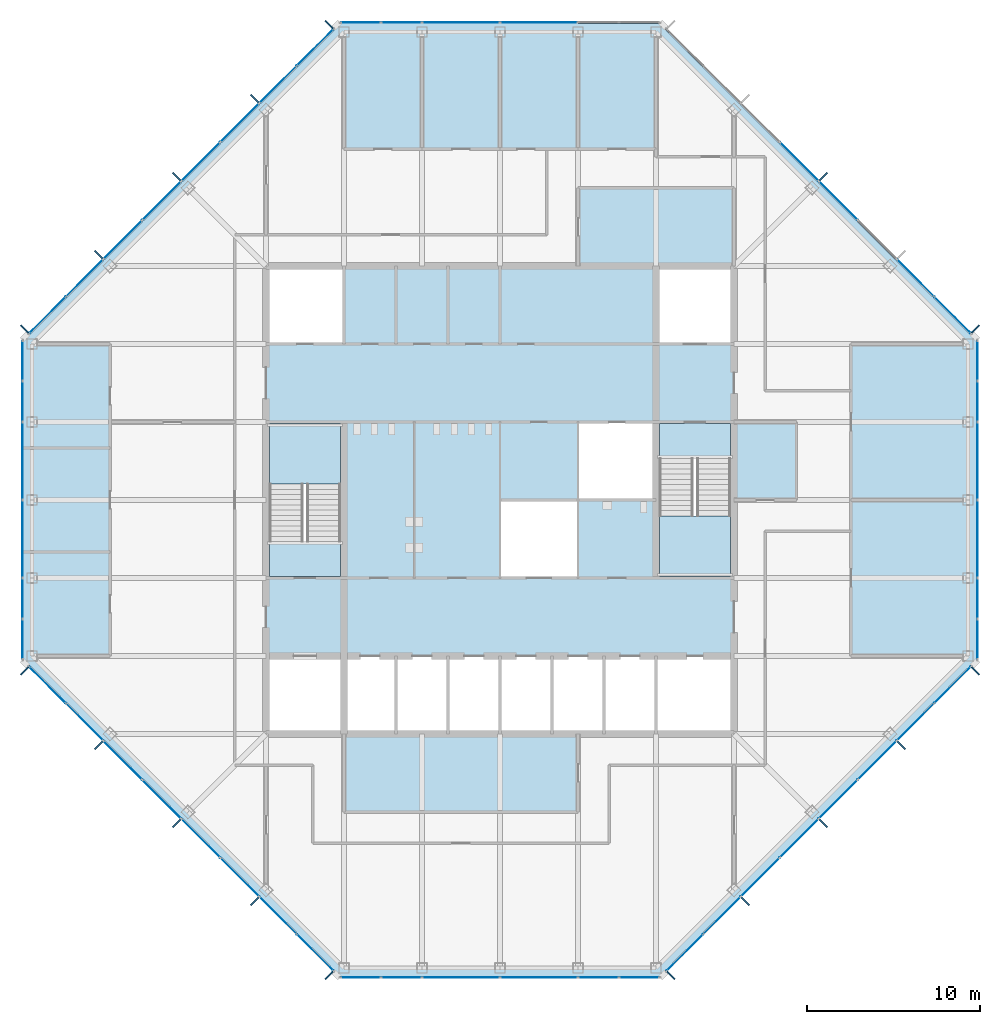
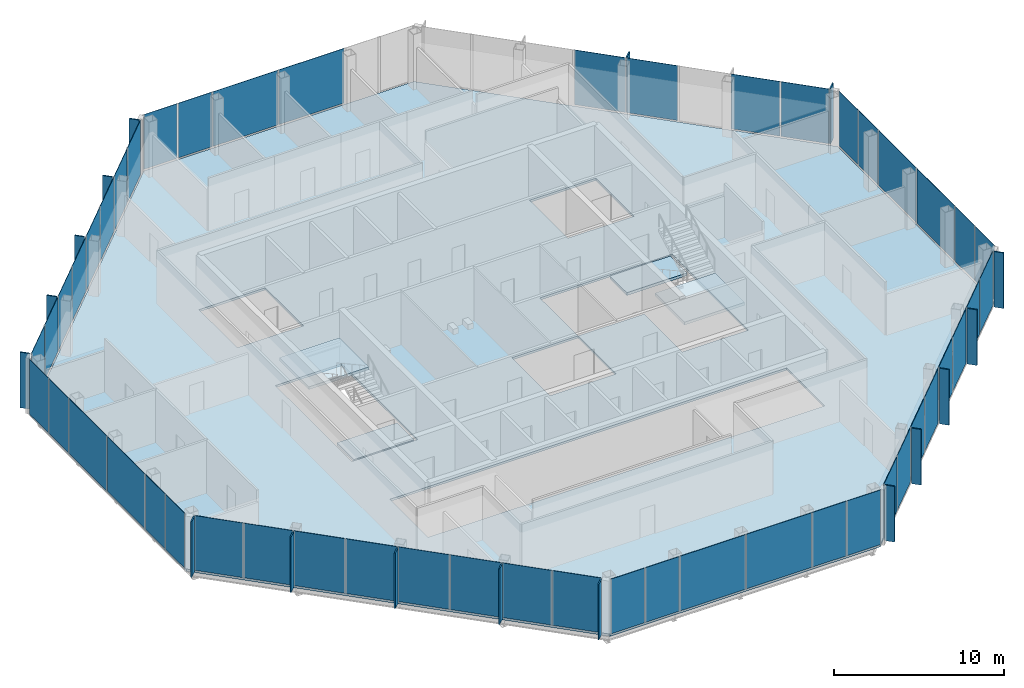
# One storey, part 8 of 14: 67 plates, 5 slabs, 10 elements without a shape of their own.
"""IFC4 building model written with IfcOpenShell, lengths in metres."""

from ifc_helpers import new_model, si_unit, direction, frame, origin, origin_2d, place, context, subcontext, project, spatial, polyline, rectangle, outline, extrude, material, layer, layer_set, type_object, element, aggregate, save


model = new_model("IFC4")

# Units and contexts
model_context = context("Model", 3, precision=1e-05, world=origin(), true_north=direction((0.0, 1.0)))
body_context = subcontext(model_context, "Body", "Model", "MODEL_VIEW")
ifc_project = project(units=[si_unit("LENGTHUNIT", "METRE"), si_unit("AREAUNIT", "SQUARE_METRE"), si_unit("VOLUMEUNIT", "CUBIC_METRE"), si_unit("PLANEANGLEUNIT", "RADIAN"), si_unit("MASSUNIT", "GRAM", prefix="KILO")], contexts=[model_context])

# Site, building, storey
site_placement = place(None, origin())
site = spatial("IfcSite", under=ifc_project, at=site_placement, CompositionType="ELEMENT")
building_placement = place(site_placement, origin())
building = spatial("IfcBuilding", under=site, at=building_placement, Name="Corais Broadcast Tower", CompositionType="ELEMENT")
storey_placement = place(building_placement, frame((0.0, 0.0, 290.60009765625)))
storey = spatial("IfcBuildingStorey", under=building, at=storey_placement, Name="L68", CompositionType="ELEMENT", Elevation=290.60009765625)

# Slab
ifc_material_1 = material(Name="Concrete C30/37", Category="concrete")
ifc_layer_1 = layer(ifc_material_1, 0.159912109375)
ifc_layer_set_1 = layer_set([ifc_layer_1], Name="Concrete C30/37")
slab_type_1 = type_object("IfcSlabType", Name="Composite floor slab 160", PredefinedType="FLOOR", material=ifc_layer_set_1)
slab_1_placement = place(storey_placement, frame((0.0, 0.0, -0.16015625)))
element("IfcSlab", 1, at=slab_1_placement, inside=storey, type_object=slab_type_1, Name="S160 floor slab L68", PredefinedType="FLOOR", context=body_context, shape_type="SweptSolid", body=[
    extrude(outline(polyline([(17.80126953125, -0.47998046875), (-0.47998046875, 17.80126953125), (-0.47998046875, 36.19873046875), (17.80126953125, 54.47998046875), (36.19873046875, 54.47998046875), (54.47998046875, 36.19873046875), (54.47998046875, 17.80126953125), (36.19873046875, -0.47998046875), (17.80126953125, -0.47998046875)]), holes=[polyline([(13.5, 18.0), (40.5, 18.0), (40.5, 13.5), (13.5, 13.5), (13.5, 18.0)]), polyline([(18.0, 22.5), (13.5, 22.5), (13.5, 31.5), (18.0, 31.5), (18.0, 22.5)]), polyline([(18.0, 36.0), (13.5, 36.0), (13.5, 40.5), (18.0, 40.5), (18.0, 36.0)]), polyline([(31.5, 22.5), (27.0, 22.5), (27.0, 27.0), (31.4951171875, 27.0), (31.4951171875, 27.0048828125), (31.5, 27.0048828125), (31.5, 31.5), (40.5, 31.5), (40.5, 22.5), (36.0, 22.5), (36.0, 27.0), (31.5048828125, 27.0), (31.5048828125, 26.9951171875), (31.5, 26.9951171875), (31.5, 22.5)]), polyline([(40.5, 36.0), (36.0, 36.0), (36.0, 40.5), (40.5, 40.5), (40.5, 36.0)])]), origin(), (0.0, 0.0, 1.0), 0.16015625),
])

# Curtain wall, plates
ifc_material_2 = material(Name="Aluminium and glass", Category="aluminium")
curtain_wall_type = type_object("IfcCurtainWallType", Name="Unitised fritted curtain wall CW3", PredefinedType="NOTDEFINED", material=ifc_material_2)
curtain_wall_1_placement = place(storey_placement, origin())
curtain_wall_1 = element("IfcCurtainWall", 2, at=curtain_wall_1_placement, inside=storey, type_object=curtain_wall_type, Name="CW3 curtain wall L68 1", PredefinedType="NOTDEFINED")
ifc_material_3 = material(Name="Ceramic-fritted laminated glass", Category="glass")
ifc_layer_2 = layer(ifc_material_3, 0.02587890625)
ifc_layer_set_2 = layer_set([ifc_layer_2], Name="Ceramic-fritted laminated glass")
plate_type_1 = type_object("IfcPlateType", Name="Fritted glass panel CW3", PredefinedType="CURTAIN_PANEL", material=ifc_layer_set_2)
plate_1_placement = place(storey_placement, frame((16.330322265625, 0.891845703125, 0.06494140625), z_axis=(0.0, 0.0, 1.0), x_axis=(-0.707106781187, 0.707106781187, 0.0)))
plate_1 = element("IfcPlate", 3, at=plate_1_placement, type_object=plate_type_1, Name="CW3 panel 1", PredefinedType="CURTAIN_PANEL", context=body_context, shape_type="SweptSolid", body=[
    extrude(rectangle(XDim=2.9482421875, YDim=0.02587890625, at=origin_2d()), origin(), (0.0, 0.0, 1.0), 3.93505859375),
])
plate_2_placement = place(storey_placement, frame((11.986083984375, 5.236083984375, 0.06494140625), z_axis=(0.0, 0.0, 1.0), x_axis=(-0.707106781187, 0.707106781187, 0.0)))
plate_2 = element("IfcPlate", 4, at=plate_2_placement, type_object=plate_type_1, Name="CW3 panel 3", PredefinedType="CURTAIN_PANEL", context=body_context, shape_type="SweptSolid", body=[
    extrude(rectangle(XDim=3.116943359375, YDim=0.02587890625, at=origin_2d()), origin(), (0.0, 0.0, 1.0), 3.93505859375),
])
plate_3_placement = place(storey_placement, frame((7.486083984375, 9.736083984375, 0.06494140625), z_axis=(0.0, 0.0, 1.0), x_axis=(-0.707106781187, 0.707106781187, 0.0)))
plate_3 = element("IfcPlate", 5, at=plate_3_placement, type_object=plate_type_1, Name="CW3 panel 5", PredefinedType="CURTAIN_PANEL", context=body_context, shape_type="SweptSolid", body=[
    extrude(rectangle(XDim=3.116943359375, YDim=0.02587890625, at=origin_2d()), origin(), (0.0, 0.0, 1.0), 3.93505859375),
])
plate_4_placement = place(storey_placement, frame((3.0341796875, 14.18798828125, 0.06494140625), z_axis=(0.0, 0.0, 1.0), x_axis=(-0.707106781187, 0.707106781187, 0.0)))
plate_4 = element("IfcPlate", 6, at=plate_4_placement, type_object=plate_type_1, Name="CW3 panel 7", PredefinedType="CURTAIN_PANEL", context=body_context, shape_type="SweptSolid", body=[
    extrude(rectangle(XDim=2.98095703125, YDim=0.02587890625, at=origin_2d()), origin(), (0.0, 0.0, 1.0), 3.93505859375),
])

curtain_wall_2_placement = place(storey_placement, origin())
curtain_wall_2 = element("IfcCurtainWall", 7, at=curtain_wall_2_placement, inside=storey, type_object=curtain_wall_type, Name="CW3 curtain wall L68 2", PredefinedType="NOTDEFINED")
plate_5_placement = place(storey_placement, frame((-0.550048828125, 18.970458984375, 0.06494140625), z_axis=(0.0, 0.0, 1.0), x_axis=(0.0, 1.0, 0.0)))
plate_5 = element("IfcPlate", 8, at=plate_5_placement, type_object=plate_type_1, Name="CW3 panel 1", PredefinedType="CURTAIN_PANEL", context=body_context, shape_type="SweptSolid", body=[
    extrude(rectangle(XDim=2.266357421875, YDim=0.02587890625, at=origin_2d()), origin(), (0.0, 0.0, 1.0), 3.93505859375),
])
plate_6_placement = place(storey_placement, frame((-0.550048828125, 24.75, 0.06494140625), z_axis=(0.0, 0.0, 1.0), x_axis=(0.0, 1.0, 0.0)))
plate_6 = element("IfcPlate", 9, at=plate_6_placement, type_object=plate_type_1, Name="CW3 panel 3", PredefinedType="CURTAIN_PANEL", context=body_context, shape_type="SweptSolid", body=[
    extrude(rectangle(XDim=4.43505859375, YDim=0.02587890625, at=origin_2d()), origin(), (0.0, 0.0, 1.0), 3.93505859375),
])
plate_7_placement = place(storey_placement, frame((-0.550048828125, 32.681884765625, 0.06494140625), z_axis=(0.0, 0.0, 1.0), x_axis=(0.0, 1.0, 0.0)))
plate_7 = element("IfcPlate", 10, at=plate_7_placement, type_object=plate_type_1, Name="CW3 panel 5", PredefinedType="CURTAIN_PANEL", context=body_context, shape_type="SweptSolid", body=[
    extrude(rectangle(XDim=2.298828125, YDim=0.02587890625, at=origin_2d()), origin(), (0.0, 0.0, 1.0), 3.93505859375),
])

curtain_wall_3_placement = place(storey_placement, origin())
curtain_wall_3 = element("IfcCurtainWall", 11, at=curtain_wall_3_placement, inside=storey, type_object=curtain_wall_type, Name="CW3 curtain wall L68 3", PredefinedType="NOTDEFINED")
plate_8_placement = place(storey_placement, frame((0.891845703125, 37.669677734375, 0.06494140625), z_axis=(0.0, 0.0, 1.0), x_axis=(0.707106781187, 0.707106781187, 0.0)))
plate_8 = element("IfcPlate", 12, at=plate_8_placement, type_object=plate_type_1, Name="CW3 panel 1", PredefinedType="CURTAIN_PANEL", context=body_context, shape_type="SweptSolid", body=[
    extrude(rectangle(XDim=2.9482421875, YDim=0.02587890625, at=origin_2d()), origin(), (0.0, 0.0, 1.0), 3.93505859375),
])
plate_9_placement = place(storey_placement, frame((5.236083984375, 42.013916015625, 0.06494140625), z_axis=(0.0, 0.0, 1.0), x_axis=(0.707106781187, 0.707106781187, 0.0)))
plate_9 = element("IfcPlate", 13, at=plate_9_placement, type_object=plate_type_1, Name="CW3 panel 3", PredefinedType="CURTAIN_PANEL", context=body_context, shape_type="SweptSolid", body=[
    extrude(rectangle(XDim=3.116943359375, YDim=0.02587890625, at=origin_2d()), origin(), (0.0, 0.0, 1.0), 3.93505859375),
])
plate_10_placement = place(storey_placement, frame((9.736083984375, 46.513916015625, 0.06494140625), z_axis=(0.0, 0.0, 1.0), x_axis=(0.707106781187, 0.707106781187, 0.0)))
plate_10 = element("IfcPlate", 14, at=plate_10_placement, type_object=plate_type_1, Name="CW3 panel 5", PredefinedType="CURTAIN_PANEL", context=body_context, shape_type="SweptSolid", body=[
    extrude(rectangle(XDim=3.116943359375, YDim=0.02587890625, at=origin_2d()), origin(), (0.0, 0.0, 1.0), 3.93505859375),
])
plate_11_placement = place(storey_placement, frame((14.18798828125, 50.9658203125, 0.06494140625), z_axis=(0.0, 0.0, 1.0), x_axis=(0.707106781187, 0.707106781187, 0.0)))
plate_11 = element("IfcPlate", 15, at=plate_11_placement, type_object=plate_type_1, Name="CW3 panel 7", PredefinedType="CURTAIN_PANEL", context=body_context, shape_type="SweptSolid", body=[
    extrude(rectangle(XDim=2.98095703125, YDim=0.02587890625, at=origin_2d()), origin(), (0.0, 0.0, 1.0), 3.93505859375),
])

curtain_wall_4_placement = place(storey_placement, origin())
curtain_wall_4 = element("IfcCurtainWall", 16, at=curtain_wall_4_placement, inside=storey, type_object=curtain_wall_type, Name="CW3 curtain wall L68 4", PredefinedType="NOTDEFINED")
plate_12_placement = place(storey_placement, frame((18.970458984375, 54.550048828125, 0.06494140625), z_axis=(0.0, 0.0, 1.0), x_axis=(1.0, 0.0, 0.0)))
plate_12 = element("IfcPlate", 17, at=plate_12_placement, type_object=plate_type_1, Name="CW3 panel 1", PredefinedType="CURTAIN_PANEL", context=body_context, shape_type="SweptSolid", body=[
    extrude(rectangle(XDim=2.266357421875, YDim=0.02587890625, at=origin_2d()), origin(), (0.0, 0.0, 1.0), 3.93505859375),
])
plate_13_placement = place(storey_placement, frame((24.75, 54.550048828125, 0.06494140625), z_axis=(0.0, 0.0, 1.0), x_axis=(1.0, 0.0, 0.0)))
plate_13 = element("IfcPlate", 18, at=plate_13_placement, type_object=plate_type_1, Name="CW3 panel 3", PredefinedType="CURTAIN_PANEL", context=body_context, shape_type="SweptSolid", body=[
    extrude(rectangle(XDim=4.43505859375, YDim=0.02587890625, at=origin_2d()), origin(), (0.0, 0.0, 1.0), 3.93505859375),
])

curtain_wall_5_placement = place(storey_placement, origin())
curtain_wall_5 = element("IfcCurtainWall", 19, at=curtain_wall_5_placement, inside=storey, type_object=curtain_wall_type, Name="CW3 curtain wall L68 5", PredefinedType="NOTDEFINED")
plate_14_placement = place(storey_placement, frame((46.513916015625, 44.263916015625, 0.06494140625), z_axis=(0.0, 0.0, 1.0), x_axis=(0.707106781187, -0.707106781187, 0.0)))
plate_14 = element("IfcPlate", 20, at=plate_14_placement, type_object=plate_type_1, Name="CW3 panel 5", PredefinedType="CURTAIN_PANEL", context=body_context, shape_type="SweptSolid", body=[
    extrude(rectangle(XDim=3.116943359375, YDim=0.02587890625, at=origin_2d()), origin(), (0.0, 0.0, 1.0), 3.93505859375),
])
plate_15_placement = place(storey_placement, frame((50.9658203125, 39.81201171875, 0.06494140625), z_axis=(0.0, 0.0, 1.0), x_axis=(0.707106781187, -0.707106781187, 0.0)))
plate_15 = element("IfcPlate", 21, at=plate_15_placement, type_object=plate_type_1, Name="CW3 panel 7", PredefinedType="CURTAIN_PANEL", context=body_context, shape_type="SweptSolid", body=[
    extrude(rectangle(XDim=2.98095703125, YDim=0.02587890625, at=origin_2d()), origin(), (0.0, 0.0, 1.0), 3.93505859375),
])

curtain_wall_6_placement = place(storey_placement, origin())
curtain_wall_6 = element("IfcCurtainWall", 22, at=curtain_wall_6_placement, inside=storey, type_object=curtain_wall_type, Name="CW3 curtain wall L68 6", PredefinedType="NOTDEFINED")
plate_16_placement = place(storey_placement, frame((54.550048828125, 35.029541015625, 0.06494140625), z_axis=(0.0, 0.0, 1.0), x_axis=(0.0, -1.0, 0.0)))
plate_16 = element("IfcPlate", 23, at=plate_16_placement, type_object=plate_type_1, Name="CW3 panel 1", PredefinedType="CURTAIN_PANEL", context=body_context, shape_type="SweptSolid", body=[
    extrude(rectangle(XDim=2.266357421875, YDim=0.02587890625, at=origin_2d()), origin(), (0.0, 0.0, 1.0), 3.93505859375),
])
plate_17_placement = place(storey_placement, frame((54.550048828125, 29.25, 0.06494140625), z_axis=(0.0, 0.0, 1.0), x_axis=(0.0, -1.0, 0.0)))
plate_17 = element("IfcPlate", 24, at=plate_17_placement, type_object=plate_type_1, Name="CW3 panel 3", PredefinedType="CURTAIN_PANEL", context=body_context, shape_type="SweptSolid", body=[
    extrude(rectangle(XDim=4.43505859375, YDim=0.02587890625, at=origin_2d()), origin(), (0.0, 0.0, 1.0), 3.93505859375),
])
plate_18_placement = place(storey_placement, frame((54.550048828125, 21.318115234375, 0.06494140625), z_axis=(0.0, 0.0, 1.0), x_axis=(0.0, -1.0, 0.0)))
plate_18 = element("IfcPlate", 25, at=plate_18_placement, type_object=plate_type_1, Name="CW3 panel 5", PredefinedType="CURTAIN_PANEL", context=body_context, shape_type="SweptSolid", body=[
    extrude(rectangle(XDim=2.298828125, YDim=0.02587890625, at=origin_2d()), origin(), (0.0, 0.0, 1.0), 3.93505859375),
])

curtain_wall_7_placement = place(storey_placement, origin())
curtain_wall_7 = element("IfcCurtainWall", 26, at=curtain_wall_7_placement, inside=storey, type_object=curtain_wall_type, Name="CW3 curtain wall L68 7", PredefinedType="NOTDEFINED")
plate_19_placement = place(storey_placement, frame((53.108154296875, 16.330322265625, 0.06494140625), z_axis=(0.0, 0.0, 1.0), x_axis=(-0.707106781187, -0.707106781187, 0.0)))
plate_19 = element("IfcPlate", 27, at=plate_19_placement, type_object=plate_type_1, Name="CW3 panel 1", PredefinedType="CURTAIN_PANEL", context=body_context, shape_type="SweptSolid", body=[
    extrude(rectangle(XDim=2.9482421875, YDim=0.02587890625, at=origin_2d()), origin(), (0.0, 0.0, 1.0), 3.93505859375),
])
plate_20_placement = place(storey_placement, frame((48.763916015625, 11.986083984375, 0.06494140625), z_axis=(0.0, 0.0, 1.0), x_axis=(-0.707106781187, -0.707106781187, 0.0)))
plate_20 = element("IfcPlate", 28, at=plate_20_placement, type_object=plate_type_1, Name="CW3 panel 3", PredefinedType="CURTAIN_PANEL", context=body_context, shape_type="SweptSolid", body=[
    extrude(rectangle(XDim=3.116943359375, YDim=0.02587890625, at=origin_2d()), origin(), (0.0, 0.0, 1.0), 3.93505859375),
])
plate_21_placement = place(storey_placement, frame((44.263916015625, 7.486083984375, 0.06494140625), z_axis=(0.0, 0.0, 1.0), x_axis=(-0.707106781187, -0.707106781187, 0.0)))
plate_21 = element("IfcPlate", 29, at=plate_21_placement, type_object=plate_type_1, Name="CW3 panel 5", PredefinedType="CURTAIN_PANEL", context=body_context, shape_type="SweptSolid", body=[
    extrude(rectangle(XDim=3.116943359375, YDim=0.02587890625, at=origin_2d()), origin(), (0.0, 0.0, 1.0), 3.93505859375),
])
plate_22_placement = place(storey_placement, frame((39.81201171875, 3.0341796875, 0.06494140625), z_axis=(0.0, 0.0, 1.0), x_axis=(-0.707106781187, -0.707106781187, 0.0)))
plate_22 = element("IfcPlate", 30, at=plate_22_placement, type_object=plate_type_1, Name="CW3 panel 7", PredefinedType="CURTAIN_PANEL", context=body_context, shape_type="SweptSolid", body=[
    extrude(rectangle(XDim=2.98095703125, YDim=0.02587890625, at=origin_2d()), origin(), (0.0, 0.0, 1.0), 3.93505859375),
])

curtain_wall_8_placement = place(storey_placement, origin())
curtain_wall_8 = element("IfcCurtainWall", 31, at=curtain_wall_8_placement, inside=storey, type_object=curtain_wall_type, Name="CW3 curtain wall L68 8", PredefinedType="NOTDEFINED")
plate_23_placement = place(storey_placement, frame((35.029541015625, -0.550048828125, 0.06494140625), z_axis=(0.0, 0.0, 1.0), x_axis=(-1.0, 0.0, 0.0)))
plate_23 = element("IfcPlate", 32, at=plate_23_placement, type_object=plate_type_1, Name="CW3 panel 1", PredefinedType="CURTAIN_PANEL", context=body_context, shape_type="SweptSolid", body=[
    extrude(rectangle(XDim=2.266357421875, YDim=0.02587890625, at=origin_2d()), origin(), (0.0, 0.0, 1.0), 3.93505859375),
])
plate_24_placement = place(storey_placement, frame((29.25, -0.550048828125, 0.06494140625), z_axis=(0.0, 0.0, 1.0), x_axis=(-1.0, 0.0, 0.0)))
plate_24 = element("IfcPlate", 33, at=plate_24_placement, type_object=plate_type_1, Name="CW3 panel 3", PredefinedType="CURTAIN_PANEL", context=body_context, shape_type="SweptSolid", body=[
    extrude(rectangle(XDim=4.43505859375, YDim=0.02587890625, at=origin_2d()), origin(), (0.0, 0.0, 1.0), 3.93505859375),
])
plate_25_placement = place(storey_placement, frame((21.318115234375, -0.550048828125, 0.06494140625), z_axis=(0.0, 0.0, 1.0), x_axis=(-1.0, 0.0, 0.0)))
plate_25 = element("IfcPlate", 34, at=plate_25_placement, type_object=plate_type_1, Name="CW3 panel 5", PredefinedType="CURTAIN_PANEL", context=body_context, shape_type="SweptSolid", body=[
    extrude(rectangle(XDim=2.298828125, YDim=0.02587890625, at=origin_2d()), origin(), (0.0, 0.0, 1.0), 3.93505859375),
])

# Plate
ifc_material_4 = material(Name="Clear laminated glass", Category="glass")
ifc_layer_3 = layer(ifc_material_4, 0.030029296875)
ifc_layer_set_3 = layer_set([ifc_layer_3], Name="Clear laminated glass")
plate_type_2 = type_object("IfcPlateType", Name="Operable glass panel CW3", PredefinedType="CURTAIN_PANEL", material=ifc_layer_set_3)
plate_26_placement = place(storey_placement, frame((14.18798828125, 3.0341796875, 0.06494140625), z_axis=(0.0, 0.0, 1.0), x_axis=(-0.707106781187, 0.707106781187, 0.0)))
plate_26 = element("IfcPlate", 35, at=plate_26_placement, type_object=plate_type_2, Name="CW3 operable panel 2", PredefinedType="CURTAIN_PANEL", context=body_context, shape_type="SweptSolid", body=[
    extrude(rectangle(XDim=2.98095703125, YDim=0.030029296875, at=origin_2d()), origin(), (0.0, 0.0, 1.0), 3.93505859375),
])

plate_27_placement = place(storey_placement, frame((9.736083984375, 7.486083984375, 0.06494140625), z_axis=(0.0, 0.0, 1.0), x_axis=(-0.707106781187, 0.707106781187, 0.0)))
plate_27 = element("IfcPlate", 36, at=plate_27_placement, type_object=plate_type_2, Name="CW3 operable panel 4", PredefinedType="CURTAIN_PANEL", context=body_context, shape_type="SweptSolid", body=[
    extrude(rectangle(XDim=3.116943359375, YDim=0.030029296875, at=origin_2d()), origin(), (0.0, 0.0, 1.0), 3.93505859375),
])

plate_28_placement = place(storey_placement, frame((5.236083984375, 11.986083984375, 0.06494140625), z_axis=(0.0, 0.0, 1.0), x_axis=(-0.707106781187, 0.707106781187, 0.0)))
plate_28 = element("IfcPlate", 37, at=plate_28_placement, type_object=plate_type_2, Name="CW3 operable panel 6", PredefinedType="CURTAIN_PANEL", context=body_context, shape_type="SweptSolid", body=[
    extrude(rectangle(XDim=3.116943359375, YDim=0.030029296875, at=origin_2d()), origin(), (0.0, 0.0, 1.0), 3.93505859375),
])

plate_29_placement = place(storey_placement, frame((0.89208984375, 16.330322265625, 0.06494140625), z_axis=(0.0, 0.0, 1.0), x_axis=(-0.707106781187, 0.707106781187, 0.0)))
plate_29 = element("IfcPlate", 38, at=plate_29_placement, type_object=plate_type_2, Name="CW3 operable panel 8", PredefinedType="CURTAIN_PANEL", context=body_context, shape_type="SweptSolid", body=[
    extrude(rectangle(XDim=2.948486328125, YDim=0.030029296875, at=origin_2d()), origin(), (0.0, 0.0, 1.0), 3.93505859375),
])

aggregate(curtain_wall_1, [plate_1, plate_26, plate_2, plate_27, plate_3, plate_28, plate_4, plate_29])

plate_30_placement = place(storey_placement, frame((-0.550048828125, 21.318115234375, 0.06494140625), z_axis=(0.0, 0.0, 1.0), x_axis=(0.0, 1.0, 0.0)))
plate_30 = element("IfcPlate", 39, at=plate_30_placement, type_object=plate_type_2, Name="CW3 operable panel 2", PredefinedType="CURTAIN_PANEL", context=body_context, shape_type="SweptSolid", body=[
    extrude(rectangle(XDim=2.298828125, YDim=0.030029296875, at=origin_2d()), origin(), (0.0, 0.0, 1.0), 3.93505859375),
])

plate_31_placement = place(storey_placement, frame((-0.550048828125, 29.25, 0.06494140625), z_axis=(0.0, 0.0, 1.0), x_axis=(0.0, 1.0, 0.0)))
plate_31 = element("IfcPlate", 40, at=plate_31_placement, type_object=plate_type_2, Name="CW3 operable panel 4", PredefinedType="CURTAIN_PANEL", context=body_context, shape_type="SweptSolid", body=[
    extrude(rectangle(XDim=4.43505859375, YDim=0.030029296875, at=origin_2d()), origin(), (0.0, 0.0, 1.0), 3.93505859375),
])

plate_32_placement = place(storey_placement, frame((-0.550048828125, 35.029541015625, 0.06494140625), z_axis=(0.0, 0.0, 1.0), x_axis=(0.0, 1.0, 0.0)))
plate_32 = element("IfcPlate", 41, at=plate_32_placement, type_object=plate_type_2, Name="CW3 operable panel 6", PredefinedType="CURTAIN_PANEL", context=body_context, shape_type="SweptSolid", body=[
    extrude(rectangle(XDim=2.266357421875, YDim=0.030029296875, at=origin_2d()), origin(), (0.0, 0.0, 1.0), 3.93505859375),
])

aggregate(curtain_wall_2, [plate_5, plate_30, plate_6, plate_31, plate_7, plate_32])

plate_33_placement = place(storey_placement, frame((3.0341796875, 39.81201171875, 0.06494140625), z_axis=(0.0, 0.0, 1.0), x_axis=(0.707106781187, 0.707106781187, 0.0)))
plate_33 = element("IfcPlate", 42, at=plate_33_placement, type_object=plate_type_2, Name="CW3 operable panel 2", PredefinedType="CURTAIN_PANEL", context=body_context, shape_type="SweptSolid", body=[
    extrude(rectangle(XDim=2.98095703125, YDim=0.030029296875, at=origin_2d()), origin(), (0.0, 0.0, 1.0), 3.93505859375),
])

plate_34_placement = place(storey_placement, frame((7.486083984375, 44.263916015625, 0.06494140625), z_axis=(0.0, 0.0, 1.0), x_axis=(0.707106781187, 0.707106781187, 0.0)))
plate_34 = element("IfcPlate", 43, at=plate_34_placement, type_object=plate_type_2, Name="CW3 operable panel 4", PredefinedType="CURTAIN_PANEL", context=body_context, shape_type="SweptSolid", body=[
    extrude(rectangle(XDim=3.116943359375, YDim=0.030029296875, at=origin_2d()), origin(), (0.0, 0.0, 1.0), 3.93505859375),
])

plate_35_placement = place(storey_placement, frame((11.986083984375, 48.763916015625, 0.06494140625), z_axis=(0.0, 0.0, 1.0), x_axis=(0.707106781187, 0.707106781187, 0.0)))
plate_35 = element("IfcPlate", 44, at=plate_35_placement, type_object=plate_type_2, Name="CW3 operable panel 6", PredefinedType="CURTAIN_PANEL", context=body_context, shape_type="SweptSolid", body=[
    extrude(rectangle(XDim=3.116943359375, YDim=0.030029296875, at=origin_2d()), origin(), (0.0, 0.0, 1.0), 3.93505859375),
])

plate_36_placement = place(storey_placement, frame((16.330322265625, 53.10791015625, 0.06494140625), z_axis=(0.0, 0.0, 1.0), x_axis=(0.707106781187, 0.707106781187, 0.0)))
plate_36 = element("IfcPlate", 45, at=plate_36_placement, type_object=plate_type_2, Name="CW3 operable panel 8", PredefinedType="CURTAIN_PANEL", context=body_context, shape_type="SweptSolid", body=[
    extrude(rectangle(XDim=2.948486328125, YDim=0.030029296875, at=origin_2d()), origin(), (0.0, 0.0, 1.0), 3.93505859375),
])

aggregate(curtain_wall_3, [plate_8, plate_33, plate_9, plate_34, plate_10, plate_35, plate_11, plate_36])

plate_37_placement = place(storey_placement, frame((21.318115234375, 54.550048828125, 0.06494140625), z_axis=(0.0, 0.0, 1.0), x_axis=(1.0, 0.0, 0.0)))
plate_37 = element("IfcPlate", 46, at=plate_37_placement, type_object=plate_type_2, Name="CW3 operable panel 2", PredefinedType="CURTAIN_PANEL", context=body_context, shape_type="SweptSolid", body=[
    extrude(rectangle(XDim=2.298828125, YDim=0.030029296875, at=origin_2d()), origin(), (0.0, 0.0, 1.0), 3.93505859375),
])

plate_38_placement = place(storey_placement, frame((29.25, 54.550048828125, 0.06494140625), z_axis=(0.0, 0.0, 1.0), x_axis=(1.0, 0.0, 0.0)))
plate_38 = element("IfcPlate", 47, at=plate_38_placement, type_object=plate_type_2, Name="CW3 operable panel 4", PredefinedType="CURTAIN_PANEL", context=body_context, shape_type="SweptSolid", body=[
    extrude(rectangle(XDim=4.43505859375, YDim=0.030029296875, at=origin_2d()), origin(), (0.0, 0.0, 1.0), 3.93505859375),
])

aggregate(curtain_wall_4, [plate_12, plate_37, plate_13, plate_38])

plate_39_placement = place(storey_placement, frame((44.263916015625, 46.513916015625, 0.06494140625), z_axis=(0.0, 0.0, 1.0), x_axis=(0.707106781187, -0.707106781187, 0.0)))
plate_39 = element("IfcPlate", 48, at=plate_39_placement, type_object=plate_type_2, Name="CW3 operable panel 4", PredefinedType="CURTAIN_PANEL", context=body_context, shape_type="SweptSolid", body=[
    extrude(rectangle(XDim=3.116943359375, YDim=0.030029296875, at=origin_2d()), origin(), (0.0, 0.0, 1.0), 3.93505859375),
])

plate_40_placement = place(storey_placement, frame((53.10791015625, 37.669677734375, 0.06494140625), z_axis=(0.0, 0.0, 1.0), x_axis=(0.707106781187, -0.707106781187, 0.0)))
plate_40 = element("IfcPlate", 49, at=plate_40_placement, type_object=plate_type_2, Name="CW3 operable panel 8", PredefinedType="CURTAIN_PANEL", context=body_context, shape_type="SweptSolid", body=[
    extrude(rectangle(XDim=2.948486328125, YDim=0.030029296875, at=origin_2d()), origin(), (0.0, 0.0, 1.0), 3.93505859375),
])

aggregate(curtain_wall_5, [plate_39, plate_14, plate_15, plate_40])

plate_41_placement = place(storey_placement, frame((54.550048828125, 32.681884765625, 0.06494140625), z_axis=(0.0, 0.0, 1.0), x_axis=(0.0, -1.0, 0.0)))
plate_41 = element("IfcPlate", 50, at=plate_41_placement, type_object=plate_type_2, Name="CW3 operable panel 2", PredefinedType="CURTAIN_PANEL", context=body_context, shape_type="SweptSolid", body=[
    extrude(rectangle(XDim=2.298828125, YDim=0.030029296875, at=origin_2d()), origin(), (0.0, 0.0, 1.0), 3.93505859375),
])

plate_42_placement = place(storey_placement, frame((54.550048828125, 24.75, 0.06494140625), z_axis=(0.0, 0.0, 1.0), x_axis=(0.0, -1.0, 0.0)))
plate_42 = element("IfcPlate", 51, at=plate_42_placement, type_object=plate_type_2, Name="CW3 operable panel 4", PredefinedType="CURTAIN_PANEL", context=body_context, shape_type="SweptSolid", body=[
    extrude(rectangle(XDim=4.43505859375, YDim=0.030029296875, at=origin_2d()), origin(), (0.0, 0.0, 1.0), 3.93505859375),
])

plate_43_placement = place(storey_placement, frame((54.550048828125, 18.970458984375, 0.06494140625), z_axis=(0.0, 0.0, 1.0), x_axis=(0.0, -1.0, 0.0)))
plate_43 = element("IfcPlate", 52, at=plate_43_placement, type_object=plate_type_2, Name="CW3 operable panel 6", PredefinedType="CURTAIN_PANEL", context=body_context, shape_type="SweptSolid", body=[
    extrude(rectangle(XDim=2.266357421875, YDim=0.030029296875, at=origin_2d()), origin(), (0.0, 0.0, 1.0), 3.93505859375),
])

aggregate(curtain_wall_6, [plate_16, plate_41, plate_17, plate_42, plate_18, plate_43])

plate_44_placement = place(storey_placement, frame((50.9658203125, 14.18798828125, 0.06494140625), z_axis=(0.0, 0.0, 1.0), x_axis=(-0.707106781187, -0.707106781187, 0.0)))
plate_44 = element("IfcPlate", 53, at=plate_44_placement, type_object=plate_type_2, Name="CW3 operable panel 2", PredefinedType="CURTAIN_PANEL", context=body_context, shape_type="SweptSolid", body=[
    extrude(rectangle(XDim=2.98095703125, YDim=0.030029296875, at=origin_2d()), origin(), (0.0, 0.0, 1.0), 3.93505859375),
])

plate_45_placement = place(storey_placement, frame((46.513916015625, 9.736083984375, 0.06494140625), z_axis=(0.0, 0.0, 1.0), x_axis=(-0.707106781187, -0.707106781187, 0.0)))
plate_45 = element("IfcPlate", 54, at=plate_45_placement, type_object=plate_type_2, Name="CW3 operable panel 4", PredefinedType="CURTAIN_PANEL", context=body_context, shape_type="SweptSolid", body=[
    extrude(rectangle(XDim=3.116943359375, YDim=0.030029296875, at=origin_2d()), origin(), (0.0, 0.0, 1.0), 3.93505859375),
])

plate_46_placement = place(storey_placement, frame((42.013916015625, 5.236083984375, 0.06494140625), z_axis=(0.0, 0.0, 1.0), x_axis=(-0.707106781187, -0.707106781187, 0.0)))
plate_46 = element("IfcPlate", 55, at=plate_46_placement, type_object=plate_type_2, Name="CW3 operable panel 6", PredefinedType="CURTAIN_PANEL", context=body_context, shape_type="SweptSolid", body=[
    extrude(rectangle(XDim=3.116943359375, YDim=0.030029296875, at=origin_2d()), origin(), (0.0, 0.0, 1.0), 3.93505859375),
])

plate_47_placement = place(storey_placement, frame((37.669677734375, 0.89208984375, 0.06494140625), z_axis=(0.0, 0.0, 1.0), x_axis=(-0.707106781187, -0.707106781187, 0.0)))
plate_47 = element("IfcPlate", 56, at=plate_47_placement, type_object=plate_type_2, Name="CW3 operable panel 8", PredefinedType="CURTAIN_PANEL", context=body_context, shape_type="SweptSolid", body=[
    extrude(rectangle(XDim=2.948486328125, YDim=0.030029296875, at=origin_2d()), origin(), (0.0, 0.0, 1.0), 3.93505859375),
])

aggregate(curtain_wall_7, [plate_19, plate_44, plate_20, plate_45, plate_21, plate_46, plate_22, plate_47])

plate_48_placement = place(storey_placement, frame((32.681884765625, -0.550048828125, 0.06494140625), z_axis=(0.0, 0.0, 1.0), x_axis=(-1.0, 0.0, 0.0)))
plate_48 = element("IfcPlate", 57, at=plate_48_placement, type_object=plate_type_2, Name="CW3 operable panel 2", PredefinedType="CURTAIN_PANEL", context=body_context, shape_type="SweptSolid", body=[
    extrude(rectangle(XDim=2.298828125, YDim=0.030029296875, at=origin_2d()), origin(), (0.0, 0.0, 1.0), 3.93505859375),
])

plate_49_placement = place(storey_placement, frame((24.75, -0.550048828125, 0.06494140625), z_axis=(0.0, 0.0, 1.0), x_axis=(-1.0, 0.0, 0.0)))
plate_49 = element("IfcPlate", 58, at=plate_49_placement, type_object=plate_type_2, Name="CW3 operable panel 4", PredefinedType="CURTAIN_PANEL", context=body_context, shape_type="SweptSolid", body=[
    extrude(rectangle(XDim=4.43505859375, YDim=0.030029296875, at=origin_2d()), origin(), (0.0, 0.0, 1.0), 3.93505859375),
])

plate_50_placement = place(storey_placement, frame((18.970458984375, -0.550048828125, 0.06494140625), z_axis=(0.0, 0.0, 1.0), x_axis=(-1.0, 0.0, 0.0)))
plate_50 = element("IfcPlate", 59, at=plate_50_placement, type_object=plate_type_2, Name="CW3 operable panel 6", PredefinedType="CURTAIN_PANEL", context=body_context, shape_type="SweptSolid", body=[
    extrude(rectangle(XDim=2.266357421875, YDim=0.030029296875, at=origin_2d()), origin(), (0.0, 0.0, 1.0), 3.93505859375),
])

aggregate(curtain_wall_8, [plate_23, plate_48, plate_24, plate_49, plate_25, plate_50])

# Stair, slabs
ifc_material_5 = material(Name="Concrete C30/37", Category="concrete")
stair_type = type_object("IfcStairType", Name="Half-turn stair 4000", PredefinedType="HALF_TURN_STAIR", material=ifc_material_5)
stair_1_placement = place(storey_placement, origin())
stair_1 = element("IfcStair", 60, at=stair_1_placement, inside=storey, type_object=stair_type, Name="Stair A L68", PredefinedType="HALF_TURN_STAIR")
ifc_material_6 = material(Name="Concrete C30/37", Category="concrete")
ifc_layer_4 = layer(ifc_material_6, 0.199951171875)
ifc_layer_set_4 = layer_set([ifc_layer_4], Name="Concrete C30/37")
slab_type_2 = type_object("IfcSlabType", Name="Stair landing 200", PredefinedType="LANDING", material=ifc_layer_set_4)
slab_2_placement = place(storey_placement, frame((0.0, 0.0, -0.2001953125)))
slab_2 = element("IfcSlab", 61, at=slab_2_placement, type_object=slab_type_2, Name="STA landing 1", PredefinedType="LANDING", context=body_context, shape_type="SweptSolid", body=[
    extrude(outline(polyline([(13.699951171875, 22.60009765625), (17.800048828125, 22.60009765625), (17.800048828125, 24.60009765625), (13.699951171875, 24.60009765625), (13.699951171875, 22.60009765625)])), origin(), (0.0, 0.0, 1.0), 0.2001953125),
])
slab_3_placement = place(storey_placement, frame((0.0, 0.0, 1.7998046875)))
slab_3 = element("IfcSlab", 62, at=slab_3_placement, type_object=slab_type_2, Name="STA landing 2", PredefinedType="LANDING", context=body_context, shape_type="SweptSolid", body=[
    extrude(outline(polyline([(13.699951171875, 27.922119140625), (17.800048828125, 27.922119140625), (17.800048828125, 31.39990234375), (13.699951171875, 31.39990234375), (13.699951171875, 27.922119140625)])), origin(), (0.0, 0.0, 1.0), 0.2001953125),
])
aggregate(stair_1, [slab_2, slab_3])

stair_2_placement = place(storey_placement, origin())
stair_2 = element("IfcStair", 63, at=stair_2_placement, inside=storey, type_object=stair_type, Name="Stair B L68", PredefinedType="HALF_TURN_STAIR")
slab_4_placement = place(storey_placement, frame((0.0, 0.0, -0.2001953125)))
slab_4 = element("IfcSlab", 64, at=slab_4_placement, type_object=slab_type_2, Name="STB landing 1", PredefinedType="LANDING", context=body_context, shape_type="SweptSolid", body=[
    extrude(outline(polyline([(36.199951171875, 29.39990234375), (40.300048828125, 29.39990234375), (40.300048828125, 31.39990234375), (36.199951171875, 31.39990234375), (36.199951171875, 29.39990234375)])), origin(), (0.0, 0.0, 1.0), 0.2001953125),
])
slab_5_placement = place(storey_placement, frame((0.0, 0.0, 1.7998046875)))
slab_5 = element("IfcSlab", 65, at=slab_5_placement, type_object=slab_type_2, Name="STB landing 2", PredefinedType="LANDING", context=body_context, shape_type="SweptSolid", body=[
    extrude(outline(polyline([(36.199951171875, 22.60009765625), (40.300048828125, 22.60009765625), (40.300048828125, 26.077880859375), (36.199951171875, 26.077880859375), (36.199951171875, 22.60009765625)])), origin(), (0.0, 0.0, 1.0), 0.2001953125),
])
aggregate(stair_2, [slab_4, slab_5])

# Plates
ifc_material_7 = material(Name="Granite stone cladding", Category="masonry")
ifc_layer_5 = layer(ifc_material_7, 0.080078125)
ifc_layer_set_5 = layer_set([ifc_layer_5], Name="Granite stone cladding")
plate_type_3 = type_object("IfcPlateType", Name="Stone screen fin 80x600", PredefinedType="USERDEFINED", material=ifc_layer_set_5)
for number, where, z_axis, x_axis, name in (
    (66, (17.129150390625, -0.43994140625, 0.0), (0.0, 0.0, 1.0), (-0.707106781187, 0.707106781187, 0.0), "SF1 stone screen fin L68"),
    (67, (12.844482421875, 3.844482421875, 0.0), (0.0, 0.0, 1.0), (-0.707106781187, 0.707106781187, 0.0), "SF1 stone screen fin L68"),
    (68, (8.344482421875, 8.344482421875, 0.0), (0.0, 0.0, 1.0), (-0.707106781187, 0.707106781187, 0.0), "SF1 stone screen fin L68"),
    (69, (3.844482421875, 12.844482421875, 0.0), (0.0, 0.0, 1.0), (-0.707106781187, 0.707106781187, 0.0), "SF1 stone screen fin L68"),
    (70, (-0.43994140625, 17.129150390625, 0.0), (0.0, 0.0, 1.0), (-0.707106781187, 0.707106781187, 0.0), "SF1 stone screen fin L68"),
    (71, (-0.43994140625, 36.870849609375, 0.0), (0.0, 0.0, 1.0), (0.707106781187, 0.707106781187, 0.0), "SF1 stone screen fin L68"),
    (72, (3.844482421875, 41.155517578125, 0.0), (0.0, 0.0, 1.0), (0.707106781187, 0.707106781187, 0.0), "SF1 stone screen fin L68"),
    (73, (8.344482421875, 45.655517578125, 0.0), (0.0, 0.0, 1.0), (0.707106781187, 0.707106781187, 0.0), "SF1 stone screen fin L68"),
    (74, (12.844482421875, 50.155517578125, 0.0), (0.0, 0.0, 1.0), (0.707106781187, 0.707106781187, 0.0), "SF1 stone screen fin L68"),
    (75, (17.129150390625, 54.43994140625, 0.0), (0.0, 0.0, 1.0), (0.707106781187, 0.707106781187, 0.0), "SF1 stone screen fin L68"),
    (76, (45.655517578125, 45.655517578125, 0.0), (0.0, 0.0, 1.0), (0.707106781187, -0.707106781187, 0.0), "SF1 stone screen fin L68"),
    (77, (54.43994140625, 36.870849609375, 0.0), (0.0, 0.0, 1.0), (0.707106781187, -0.707106781187, 0.0), "SF1 stone screen fin L68"),
    (78, (54.43994140625, 17.129150390625, 0.0), (0.0, 0.0, 1.0), (-0.707106781187, -0.707106781187, 0.0), "SF1 stone screen fin L68"),
    (79, (50.155517578125, 12.844482421875, 0.0), (0.0, 0.0, 1.0), (-0.707106781187, -0.707106781187, 0.0), "SF1 stone screen fin L68"),
    (80, (45.655517578125, 8.344482421875, 0.0), (0.0, 0.0, 1.0), (-0.707106781187, -0.707106781187, 0.0), "SF1 stone screen fin L68"),
    (81, (41.155517578125, 3.844482421875, 0.0), (0.0, 0.0, 1.0), (-0.707106781187, -0.707106781187, 0.0), "SF1 stone screen fin L68"),
    (82, (36.870849609375, -0.43994140625, 0.0), (0.0, 0.0, 1.0), (-0.707106781187, -0.707106781187, 0.0), "SF1 stone screen fin L68"),
):
    element("IfcPlate", number, at=place(storey_placement, frame(where, z_axis=z_axis, x_axis=x_axis)), inside=storey, type_object=plate_type_3, Name=name, ObjectType="STONE SCREEN FIN", PredefinedType="USERDEFINED", context=body_context, shape_type="SweptSolid", body=[
        extrude(rectangle(XDim=0.080078125, YDim=0.60009765625, at=origin_2d()), origin(), (0.0, 0.0, 1.0), 4.0),
    ])

save(model, "model.ifc")
